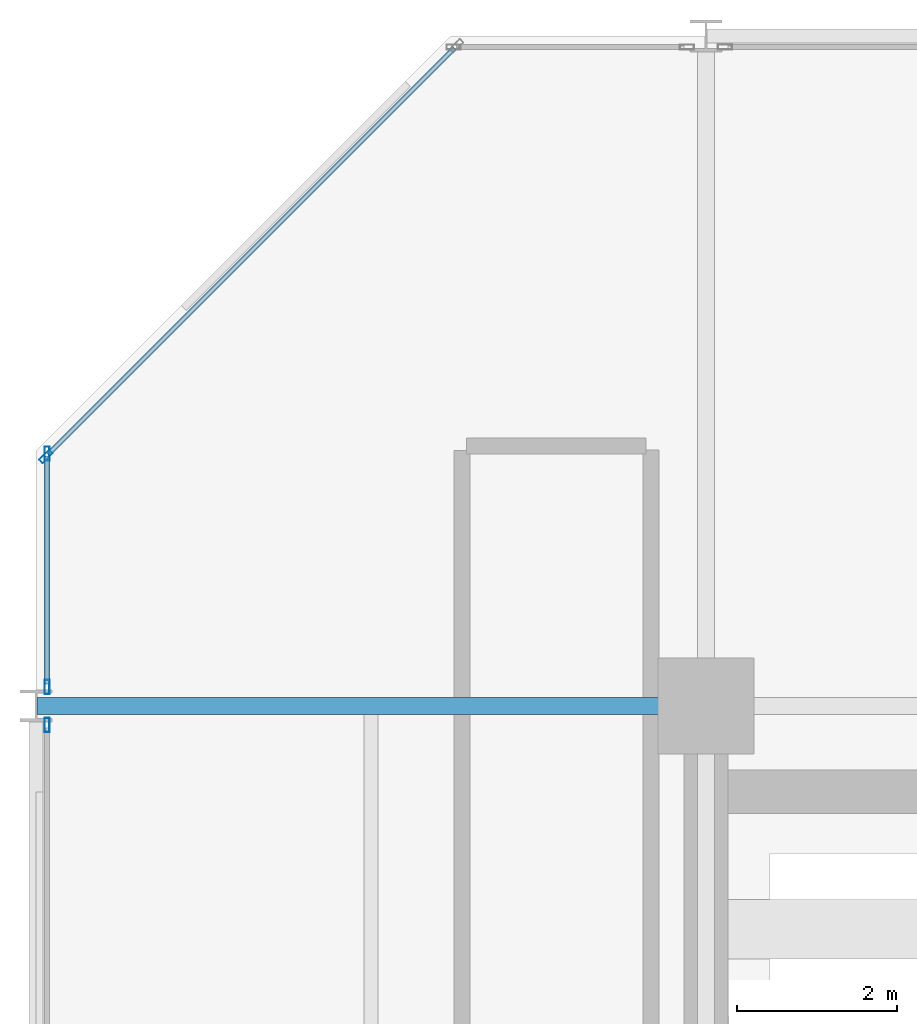
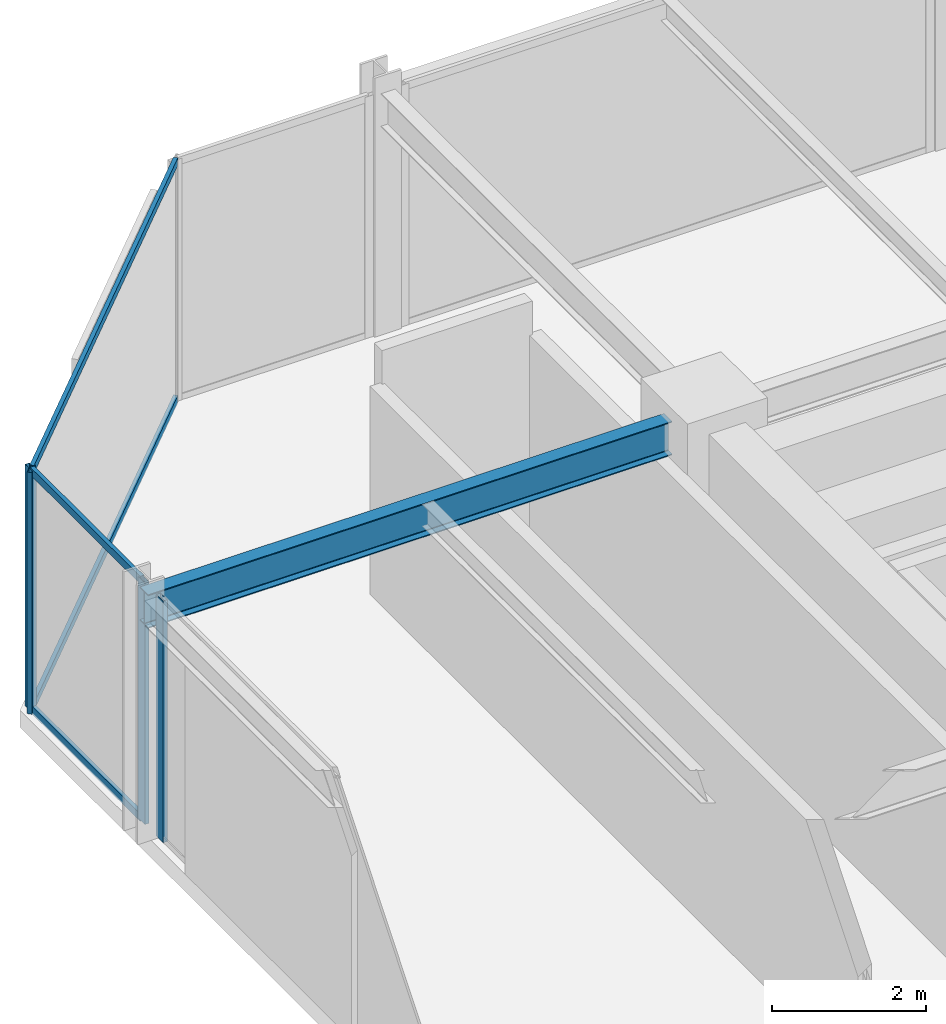
# One storey, part 18 of 29: 8 members, 1 beam, 3 elements without a shape of their own.
"""IFC4 building model written with IfcOpenShell, lengths in metres."""

from ifc_helpers import new_model, si_unit, direction, frame, origin, origin_2d, place, context, subcontext, project, spatial, hollow_rectangle, i_section, extrude, material, layer, layer_set, material_profile, profile_set, type_object, element, aggregate, save


model = new_model("IFC4")

# Units and contexts
model_context = context("Model", 3, precision=1e-05, world=origin(), true_north=direction((0.0, 1.0)))
body_context = subcontext(model_context, "Body", "Model", "MODEL_VIEW")
ifc_project = project(units=[si_unit("LENGTHUNIT", "METRE"), si_unit("AREAUNIT", "SQUARE_METRE"), si_unit("VOLUMEUNIT", "CUBIC_METRE"), si_unit("PLANEANGLEUNIT", "RADIAN"), si_unit("MASSUNIT", "GRAM", prefix="KILO")], contexts=[model_context])

# Site, building, storey
site_placement = place(None, origin())
site = spatial("IfcSite", under=ifc_project, at=site_placement, CompositionType="ELEMENT")
building_placement = place(site_placement, origin())
building = spatial("IfcBuilding", under=site, at=building_placement, Name="Nerrivon Quay Data Exchange", CompositionType="ELEMENT")
storey_placement = place(building_placement, frame((0.0, 0.0, 125.39990234375)))
storey = spatial("IfcBuildingStorey", under=building, at=storey_placement, Name="L29", CompositionType="ELEMENT", Elevation=125.39990234375)

# Beam
ifc_material_1 = material(Name="Steel Grade 350", Category="steel")
ifc_material_profile_1 = material_profile(ifc_material_1, i_section(OverallWidth=0.208984375, OverallDepth=0.532958984375, WebThickness=0.01025390625, FlangeThickness=0.015625, FilletRadius=0.013916015625, at=origin_2d()), Name="530UB92.4")
ifc_profile_set_1 = profile_set([ifc_material_profile_1], Name="Steel Grade 350")
beam_type = type_object("IfcBeamType", Name="BM-G3-530UB92", PredefinedType="BEAM", material=ifc_profile_set_1)
beam_placement = place(storey_placement, frame((0.012451171875, 42.0, 3.55859375), z_axis=(1.0, 0.0, 0.0), x_axis=(0.0, 1.0, 0.0)))
element("IfcBeam", 1, at=beam_placement, inside=storey, type_object=beam_type, Name="L29 EW Girder Y=42.0 (0.0..8.4)", PredefinedType="BEAM", context=body_context, shape_type="SweptSolid", body=[
    extrude(i_section(OverallWidth=0.208984375, OverallDepth=0.532958984375, WebThickness=0.01025390625, FlangeThickness=0.015625, FilletRadius=0.013916015625, at=origin_2d()), origin(), (0.0, 0.0, 1.0), 7.84765625),
])

# Curtain wall, member
ifc_material_2 = material(Name="Anodised aluminium 6063-T6", Category="aluminium")
ifc_layer = layer(ifc_material_2, 0.2099609375)
ifc_layer_set = layer_set([ifc_layer], Name="Anodised aluminium 6063-T6")
curtain_wall_type = type_object("IfcCurtainWallType", Name="CW-SYS-02", PredefinedType="NOTDEFINED", material=ifc_layer_set)
curtain_wall_1_placement = place(storey_placement, origin())
curtain_wall_1 = element("IfcCurtainWall", 2, at=curtain_wall_1_placement, inside=storey, type_object=curtain_wall_type, Name="L29 Unitised Curtain Wall 15", PredefinedType="NOTDEFINED")
ifc_material_profile_2 = material_profile(ifc_material_2, hollow_rectangle(XDim=0.06494140625, YDim=0.179931640625, WallThickness=0.00341796875, at=origin_2d()), Name="ALU-MULL-180x65")
ifc_profile_set_2 = profile_set([ifc_material_profile_2], Name="Anodised aluminium 6063-T6")
member_type_1 = type_object("IfcMemberType", Name="CWM-180x65", PredefinedType="MULLION", material=ifc_profile_set_2)
member_1_placement = place(storey_placement, frame((0.139892578125, 41.762451171875, 0.0), z_axis=(0.0, 0.0, 1.0), x_axis=(-1.0, 0.0, 0.0)))
member_1 = element("IfcMember", 3, at=member_1_placement, type_object=member_type_1, Name="CW02 mullion 2", PredefinedType="MULLION", context=body_context, shape_type="SweptSolid", body=[
    extrude(hollow_rectangle(XDim=0.06494140625, YDim=0.179931640625, WallThickness=0.00341796875, at=origin_2d()), origin(), (0.0, 0.0, 1.0), 3.8251953125),
])
aggregate(curtain_wall_1, [member_1])

# Curtain wall, members
curtain_wall_2_placement = place(storey_placement, origin())
curtain_wall_2 = element("IfcCurtainWall", 4, at=curtain_wall_2_placement, inside=storey, type_object=curtain_wall_type, Name="L29 Unitised Curtain Wall 16", PredefinedType="NOTDEFINED")
member_2_placement = place(storey_placement, frame((0.139892578125, 42.237548828125, 0.0), z_axis=(0.0, 0.0, 1.0), x_axis=(-1.0, 0.0, 0.0)))
member_2 = element("IfcMember", 5, at=member_2_placement, type_object=member_type_1, Name="CW02 mullion 1", PredefinedType="MULLION", context=body_context, shape_type="SweptSolid", body=[
    extrude(hollow_rectangle(XDim=0.06494140625, YDim=0.179931640625, WallThickness=0.00341796875, at=origin_2d()), origin(), (0.0, 0.0, 1.0), 3.8251953125),
])
member_3_placement = place(storey_placement, frame((0.139892578125, 45.16259765625, 0.0), z_axis=(0.0, 0.0, 1.0), x_axis=(-1.0, 0.0, 0.0)))
member_3 = element("IfcMember", 6, at=member_3_placement, type_object=member_type_1, Name="CW02 mullion 2", PredefinedType="MULLION", context=body_context, shape_type="SweptSolid", body=[
    extrude(hollow_rectangle(XDim=0.06494140625, YDim=0.179931640625, WallThickness=0.00341796875, at=origin_2d()), origin(), (0.0, 0.0, 1.0), 3.8251953125),
])

# Curtain wall, member
curtain_wall_3_placement = place(storey_placement, origin())
curtain_wall_3 = element("IfcCurtainWall", 7, at=curtain_wall_3_placement, inside=storey, type_object=curtain_wall_type, Name="L29 Unitised Curtain Wall 17", PredefinedType="NOTDEFINED")
member_4_placement = place(storey_placement, frame((0.12548828125, 45.12744140625, 0.0), z_axis=(0.0, 0.0, 1.0), x_axis=(-0.707106781187, 0.707106781187, 0.0)))
member_4 = element("IfcMember", 8, at=member_4_placement, type_object=member_type_1, Name="CW02 mullion 1", PredefinedType="MULLION", context=body_context, shape_type="SweptSolid", body=[
    extrude(hollow_rectangle(XDim=0.06494140625, YDim=0.179931640625, WallThickness=0.00341796875, at=origin_2d()), origin(), (0.0, 0.0, 1.0), 3.8251953125),
])

# Member
ifc_material_profile_3 = material_profile(ifc_material_2, hollow_rectangle(XDim=0.06005859375, YDim=0.1201171875, WallThickness=0.003173828125, at=origin_2d()), Name="ALU-TRAN-120x60")
ifc_profile_set_3 = profile_set([ifc_material_profile_3], Name="Anodised aluminium 6063-T6")
member_type_2 = type_object("IfcMemberType", Name="CWT-120x60", PredefinedType="USERDEFINED", material=ifc_profile_set_3)
member_5_placement = place(storey_placement, frame((0.139892578125, 42.27490234375, 0.03271484375), z_axis=(0.0, 1.0, 0.0), x_axis=(-1.0, 0.0, 0.0)))
member_5 = element("IfcMember", 9, at=member_5_placement, type_object=member_type_2, Name="CW02 transom 1.1", ObjectType="TRANSOM", PredefinedType="USERDEFINED", context=body_context, shape_type="SweptSolid", body=[
    extrude(hollow_rectangle(XDim=0.06005859375, YDim=0.1201171875, WallThickness=0.003173828125, at=origin_2d()), origin(), (0.0, 0.0, 1.0), 2.85009765625),
])

member_6_placement = place(storey_placement, frame((0.139892578125, 42.27490234375, 3.79248046875), z_axis=(0.0, 1.0, 0.0), x_axis=(-1.0, 0.0, 0.0)))
member_6 = element("IfcMember", 10, at=member_6_placement, type_object=member_type_2, Name="CW02 transom 1.2", ObjectType="TRANSOM", PredefinedType="USERDEFINED", context=body_context, shape_type="SweptSolid", body=[
    extrude(hollow_rectangle(XDim=0.06005859375, YDim=0.1201171875, WallThickness=0.003173828125, at=origin_2d()), origin(), (0.0, 0.0, 1.0), 2.85009765625),
])

aggregate(curtain_wall_2, [member_2, member_3, member_5, member_6])

member_7_placement = place(storey_placement, frame((0.152099609375, 45.154052734375, 0.03271484375), z_axis=(0.707089835771, 0.707123726196, 0.0), x_axis=(-0.707123726196, 0.707089835771, 0.0)))
member_7 = element("IfcMember", 11, at=member_7_placement, type_object=member_type_2, Name="CW02 transom 1.1", ObjectType="TRANSOM", PredefinedType="USERDEFINED", context=body_context, shape_type="SweptSolid", body=[
    extrude(hollow_rectangle(XDim=0.06005859375, YDim=0.1201171875, WallThickness=0.003173828125, at=origin_2d()), origin(), (0.0, 0.0, 1.0), 7.203857421875),
])

member_8_placement = place(storey_placement, frame((0.152099609375, 45.154052734375, 3.79248046875), z_axis=(0.707089835771, 0.707123726196, 0.0), x_axis=(-0.707123726196, 0.707089835771, 0.0)))
member_8 = element("IfcMember", 12, at=member_8_placement, type_object=member_type_2, Name="CW02 transom 1.2", ObjectType="TRANSOM", PredefinedType="USERDEFINED", context=body_context, shape_type="SweptSolid", body=[
    extrude(hollow_rectangle(XDim=0.06005859375, YDim=0.1201171875, WallThickness=0.003173828125, at=origin_2d()), origin(), (0.0, 0.0, 1.0), 7.203857421875),
])

aggregate(curtain_wall_3, [member_4, member_7, member_8])

save(model, "model.ifc")
